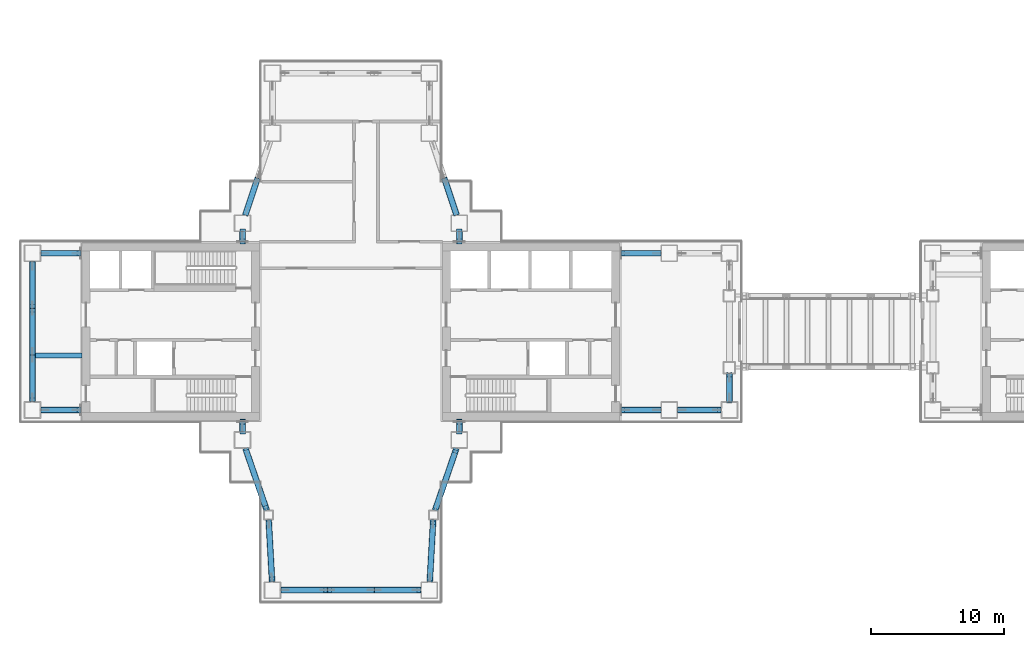
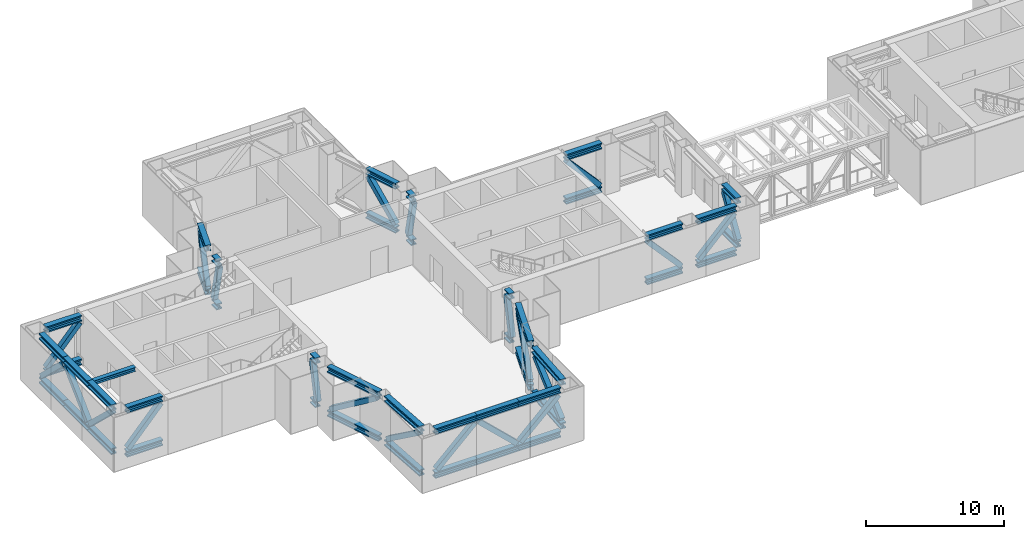
# One storey, part 3 of 21: 66 members, 1 beam.
"""IFC4 building model written with IfcOpenShell, lengths in metres."""

import ifcopenshell
import ifcopenshell.guid

model = None  # the IFC model being written
_history = None  # IfcOwnerHistory: only IFC2X3 demands one
_inside = {}  # id of a spatial element -> (the spatial element, [elements in it])
_under = {}  # id of a project, library or spatial element -> (it, [spatial elements below it])
_declared = {}  # id of a project -> (the project, [libraries it declares])
_typed = {}  # id of a type object -> (the type object, [elements of that type])
_made_of = {}  # id of a material, layer set ... -> (it, [elements and type objects made of it])


def new_model(schema):
    """Start an empty IFC model of exactly this schema.

    Asked for "IFC4X3", IfcOpenShell would pick the latest addendum, in which some entities
    have other attributes; the version numbers below select the first issue.
    IFC2X3 requires an IfcOwnerHistory on every rooted entity: one is made here for all.
    """
    global model, _history
    if schema == "IFC4X3":
        model = ifcopenshell.file(schema_version=(4, 3, 0, 0))
    else:
        model = ifcopenshell.file(schema=schema)
    _inside.clear()
    _under.clear()
    _declared.clear()
    _typed.clear()
    _made_of.clear()
    _history = None
    if model.schema == "IFC2X3":
        org = make("IfcOrganization", Name="unknown")
        user = make(
            "IfcPersonAndOrganization",
            ThePerson=make("IfcPerson", FamilyName="unknown"),
            TheOrganization=org,
        )
        app = make(
            "IfcApplication",
            ApplicationDeveloper=org,
            Version="unknown",
            ApplicationFullName="unknown",
            ApplicationIdentifier="unknown",
        )
        _history = make(
            "IfcOwnerHistory",
            OwningUser=user,
            OwningApplication=app,
            ChangeAction="ADDED",
            CreationDate=0,
        )
    return model


def make(cls, **values):
    """One entity of the class cls with the attributes given. An attribute that is None is left unset."""
    return model.create_entity(
        cls, **{name: value for name, value in values.items() if value is not None}
    )


def rooted(cls, **values):
    """An entity with a GlobalId (a new one), such as an element, a storey or a relation."""
    return make(cls, GlobalId=ifcopenshell.guid.new(), OwnerHistory=_history, **values)


def si_unit(unit_type, name, prefix=None):
    """IfcSIUnit, for example si_unit("LENGTHUNIT", "METRE", prefix="MILLI")."""
    return make("IfcSIUnit", UnitType=unit_type, Prefix=prefix, Name=name)


def assignment(units):
    """IfcUnitAssignment: the units of a project."""
    return None if units is None else make("IfcUnitAssignment", Units=units)


def point(xyz):
    """IfcCartesianPoint."""
    return None if xyz is None else make("IfcCartesianPoint", Coordinates=xyz)


def direction(xyz):
    """IfcDirection."""
    return None if xyz is None else make("IfcDirection", DirectionRatios=xyz)


def frame(location, z_axis=None, x_axis=None):
    """IfcAxis2Placement3D, a coordinate frame: its origin and axes. An axis left out is left unset."""
    return make(
        "IfcAxis2Placement3D",
        Location=point(location),
        Axis=direction(z_axis),
        RefDirection=direction(x_axis),
    )


def frame_2d(location, x_axis=None):
    """IfcAxis2Placement2D, a coordinate frame in the plane: its origin and x axis."""
    return make(
        "IfcAxis2Placement2D", Location=point(location), RefDirection=direction(x_axis)
    )


def origin():
    """The frame at (0, 0, 0) with its axes left unset."""
    return frame((0.0, 0.0, 0.0))


def origin_2d():
    """The frame at (0, 0) in the plane with its x axis left unset."""
    return frame_2d((0.0, 0.0))


def place(relative_to, where):
    """IfcLocalPlacement: puts the frame where relative to a parent placement (None: the world)."""
    return make(
        "IfcLocalPlacement", PlacementRelTo=relative_to, RelativePlacement=where
    )


def context(
    kind, dimensions, precision=None, world=None, true_north=None, identifier=None
):
    """IfcGeometricRepresentationContext, for example the 3D "Model" context."""
    return make(
        "IfcGeometricRepresentationContext",
        ContextIdentifier=identifier,
        ContextType=kind,
        CoordinateSpaceDimension=dimensions,
        Precision=precision,
        WorldCoordinateSystem=world,
        TrueNorth=true_north,
    )


def subcontext(parent, identifier, kind, view, scale=None):
    """IfcGeometricRepresentationSubContext, for example "Body" below "Model"."""
    return make(
        "IfcGeometricRepresentationSubContext",
        ContextIdentifier=identifier,
        ContextType=kind,
        ParentContext=parent,
        TargetScale=scale,
        TargetView=view,
    )


def project(units=None, contexts=None):
    """IfcProject with its units and contexts."""
    return rooted(
        "IfcProject",
        Name="project",
        RepresentationContexts=contexts,
        UnitsInContext=assignment(units),
    )


def spatial(cls, under=None, at=None, **own):
    """A site, building, storey or space (cls), placed at a placement, below another one or the project."""
    s = rooted(cls, ObjectPlacement=at, **own)
    if under is not None:
        _under.setdefault(under.id(), (under, []))[1].append(s)
    return s


def profile(cls, at=None, kind="AREA", **sizes):
    """A parametric profile (cls). Its sizes go by their IFC names, for example OverallWidth=200.0."""
    return make(cls, ProfileType=kind, Position=at, **sizes)


def hollow_rectangle(**sizes):
    """IfcRectangleHollowProfileDef."""
    return profile("IfcRectangleHollowProfileDef", **sizes)


def i_section(**sizes):
    """IfcIShapeProfileDef."""
    return profile("IfcIShapeProfileDef", **sizes)


def extrude(swept, where, along, depth):
    """IfcExtrudedAreaSolid: the profile swept, set in the frame where, extruded along a direction by depth."""
    return make(
        "IfcExtrudedAreaSolid",
        SweptArea=swept,
        Position=where,
        ExtrudedDirection=direction(along),
        Depth=depth,
    )


def shape(context_of_items, identifier, shape_type, items):
    """IfcShapeRepresentation: the items that make up one representation, for example the "Body"."""
    return make(
        "IfcShapeRepresentation",
        ContextOfItems=context_of_items,
        RepresentationIdentifier=identifier,
        RepresentationType=shape_type,
        Items=items,
    )


def material(Name=None, Category=None):
    """IfcMaterial."""
    return make("IfcMaterial", Name=Name, Category=Category)


def material_profile(
    of_material, cross_section, Name=None, Category=None, Priority=None
):
    """IfcMaterialProfile: a cross section and its material."""
    return make(
        "IfcMaterialProfile",
        Name=Name,
        Material=of_material,
        Profile=cross_section,
        Priority=Priority,
        Category=Category,
    )


def profile_set(profiles, Name=None, composite=None):
    """IfcMaterialProfileSet."""
    return make(
        "IfcMaterialProfileSet",
        Name=Name,
        MaterialProfiles=profiles,
        CompositeProfile=composite,
    )


def made_of(thing, what):
    """Note that an element or type object is made of a material, layer set ...; save() writes the relation."""
    if what is not None:
        _made_of.setdefault(what.id(), (what, []))[1].append(thing)
    return thing


def type_object(cls, material=None, **own):
    """A type object (cls), such as IfcWallType, which elements share."""
    return made_of(rooted(cls, **own), material)


def element(
    cls,
    number,
    at=None,
    inside=None,
    cuts=None,
    type_object=None,
    material=None,
    context=None,
    identifier="Body",
    shape_type=None,
    held_by="IfcProductDefinitionShape",
    body=None,
    shapes=None,
    **own,
):
    """One element of the class cls, such as IfcWall. Its Tag is "e" and its number.

    at: its placement. inside: the storey or other place that contains it. cuts: it is an
    opening in that element (IfcRelVoidsElement). A single representation is given by context,
    identifier, shape_type and body (its items); several are given by shapes. held_by: the class
    of the entity that holds the representations. save() writes the other relations.
    """
    e = rooted(cls, Tag="e%d" % number, ObjectPlacement=at, **own)
    if body is not None:
        shapes = [shape(context, identifier, shape_type, body)]
    if shapes is not None:
        e.Representation = make(held_by, Representations=shapes)
    if inside is not None:
        _inside.setdefault(inside.id(), (inside, []))[1].append(e)
    if cuts is not None:
        rooted(
            "IfcRelVoidsElement", RelatingBuildingElement=cuts, RelatedOpeningElement=e
        )
    if type_object is not None:
        _typed.setdefault(type_object.id(), (type_object, []))[1].append(e)
    return made_of(e, material)


def aggregate(whole, parts):
    """IfcRelAggregates: a whole, such as a stair, and the parts it consists of."""
    return rooted("IfcRelAggregates", RelatingObject=whole, RelatedObjects=parts)


def save(model, path):
    """Write the relations noted so far, then the file.

    IfcRelAggregates (storeys below a building ...), IfcRelContainedInSpatialStructure (elements
    in a storey), IfcRelDefinesByType, IfcRelAssociatesMaterial and IfcRelDeclares: one each for
    every whole, place, type object, material and project.
    """
    for whole, parts in _under.values():
        aggregate(whole, parts)
    for where, things in _inside.values():
        rooted(
            "IfcRelContainedInSpatialStructure",
            RelatedElements=things,
            RelatingStructure=where,
        )
    for kind, things in _typed.values():
        rooted("IfcRelDefinesByType", RelatedObjects=things, RelatingType=kind)
    for what, things in _made_of.values():
        rooted("IfcRelAssociatesMaterial", RelatedObjects=things, RelatingMaterial=what)
    for by, libraries in _declared.values():
        rooted("IfcRelDeclares", RelatingContext=by, RelatedDefinitions=libraries)
    model.write(path)


model = new_model("IFC4")

# Units and contexts
model_context = context("Model", 3, precision=1e-05, world=origin(), true_north=direction((0.0, 1.0)))
body_context = subcontext(model_context, "Body", "Model", "MODEL_VIEW")
ifc_project = project(units=[si_unit("LENGTHUNIT", "METRE"), si_unit("AREAUNIT", "SQUARE_METRE"), si_unit("VOLUMEUNIT", "CUBIC_METRE"), si_unit("PLANEANGLEUNIT", "RADIAN"), si_unit("MASSUNIT", "GRAM", prefix="KILO")], contexts=[model_context])

# Site, building, storey
site_placement = place(None, origin())
site = spatial("IfcSite", under=ifc_project, at=site_placement, CompositionType="ELEMENT")
building_placement = place(site_placement, origin())
building = spatial("IfcBuilding", under=site, at=building_placement, Name="Shamsa Quay Exchange Towers", CompositionType="ELEMENT")
storey_placement = place(building_placement, frame((0.0, 0.0, 128.699951171875)))
storey = spatial("IfcBuildingStorey", under=building, at=storey_placement, Name="L30", CompositionType="ELEMENT", Elevation=128.699951171875)

# Members
ifc_material = material(Name="Steel S355", Category="steel")
ifc_material_profile_1 = material_profile(ifc_material, i_section(OverallWidth=0.4423828125, OverallDepth=0.531494140625, WebThickness=0.06591796875, FlangeThickness=0.105712890625, at=origin_2d()), Name="W14x605")
ifc_profile_set_1 = profile_set([ifc_material_profile_1], Name="Steel S355")
member_type_1 = type_object("IfcMemberType", Name="Belt chord W14x605", PredefinedType="CHORD", material=ifc_profile_set_1)
for number, where, z_axis, x_axis, name in (
    (1, (-41.65966796875, -8.75, 4.13427734375), (0.325654086192, -0.945488982562, 0.0), (0.945488982562, 0.325654086192, 0.0), "Belt truss chord T1 L30 3"),
    (2, (-41.65966796875, -8.75, 0.265869140625), (0.325654086192, -0.945488982562, 0.0), (0.945488982562, 0.325654086192, 0.0), "Belt truss chord T1 L30 3"),
):
    element("IfcMember", number, at=place(storey_placement, frame(where, z_axis=z_axis, x_axis=x_axis)), inside=storey, type_object=member_type_1, Name=name, PredefinedType="CHORD", context=body_context, shape_type="SweptSolid", body=[
        extrude(i_section(OverallWidth=0.4423828125, OverallDepth=0.531494140625, WebThickness=0.06591796875, FlangeThickness=0.105712890625, at=origin_2d()), origin(), (0.0, 0.0, 1.0), 4.91796875),
    ])
for number, where, z_axis, x_axis, name in (
    (3, (-39.91796875, -14.10009765625, 4.13427734375), (0.055464212695, -0.998460675796, 0.0), (0.998460675796, 0.055464212695, 0.0), "Belt truss chord T1 L30 4"),
    (4, (-39.91796875, -14.10009765625, 0.265869140625), (0.055464212695, -0.998460675796, 0.0), (0.998460675796, 0.055464212695, 0.0), "Belt truss chord T1 L30 4"),
):
    element("IfcMember", number, at=place(storey_placement, frame(where, z_axis=z_axis, x_axis=x_axis)), inside=storey, type_object=member_type_1, Name=name, PredefinedType="CHORD", context=body_context, shape_type="SweptSolid", body=[
        extrude(i_section(OverallWidth=0.4423828125, OverallDepth=0.531494140625, WebThickness=0.06591796875, FlangeThickness=0.105712890625, at=origin_2d()), origin(), (0.0, 0.0, 1.0), 4.656982421875),
    ])
for number, where, z_axis, x_axis, name in (
    (5, (-39.0, -19.375, 4.13427734375), (1.0, 0.0, 0.0), (0.0, 1.0, 0.0), "Belt truss chord T1 L30 5"),
    (6, (-39.0, -19.375, 0.265869140625), (1.0, 0.0, 0.0), (0.0, 1.0, 0.0), "Belt truss chord T1 L30 5"),
    (7, (-35.5, -19.375, 4.13427734375), (1.0, 0.0, 0.0), (0.0, 1.0, 0.0), "Belt truss chord T1 L30 5"),
    (8, (-35.5, -19.375, 0.265869140625), (1.0, 0.0, 0.0), (0.0, 1.0, 0.0), "Belt truss chord T1 L30 5"),
    (9, (-32.0, -19.375, 4.13427734375), (1.0, 0.0, 0.0), (0.0, 1.0, 0.0), "Belt truss chord T1 L30 5"),
    (10, (-32.0, -19.375, 0.265869140625), (1.0, 0.0, 0.0), (0.0, 1.0, 0.0), "Belt truss chord T1 L30 5"),
):
    element("IfcMember", number, at=place(storey_placement, frame(where, z_axis=z_axis, x_axis=x_axis)), inside=storey, type_object=member_type_1, Name=name, PredefinedType="CHORD", context=body_context, shape_type="SweptSolid", body=[
        extrude(i_section(OverallWidth=0.4423828125, OverallDepth=0.531494140625, WebThickness=0.06591796875, FlangeThickness=0.105712890625, at=origin_2d()), origin(), (0.0, 0.0, 1.0), 3.5),
    ])
for number, where, z_axis, x_axis, name in (
    (11, (-27.84033203125, -18.75, 4.13427734375), (0.055464212695, 0.998460675796, 0.0), (-0.998460675796, 0.055464212695, 0.0), "Belt truss chord T1 L30 6"),
    (12, (-27.84033203125, -18.75, 0.265869140625), (0.055464212695, 0.998460675796, 0.0), (-0.998460675796, 0.055464212695, 0.0), "Belt truss chord T1 L30 6"),
):
    element("IfcMember", number, at=place(storey_placement, frame(where, z_axis=z_axis, x_axis=x_axis)), inside=storey, type_object=member_type_1, Name=name, PredefinedType="CHORD", context=body_context, shape_type="SweptSolid", body=[
        extrude(i_section(OverallWidth=0.4423828125, OverallDepth=0.531494140625, WebThickness=0.06591796875, FlangeThickness=0.105712890625, at=origin_2d()), origin(), (0.0, 0.0, 1.0), 4.656982421875),
    ])
for number, where, z_axis, x_axis, name in (
    (13, (-27.44189453125, -13.39990234375, 4.13427734375), (0.325654086192, 0.945488982562, 0.0), (-0.945488982562, 0.325654086192, 0.0), "Belt truss chord T1 L30 7"),
    (14, (-27.44189453125, -13.39990234375, 0.265869140625), (0.325654086192, 0.945488982562, 0.0), (-0.945488982562, 0.325654086192, 0.0), "Belt truss chord T1 L30 7"),
):
    element("IfcMember", number, at=place(storey_placement, frame(where, z_axis=z_axis, x_axis=x_axis)), inside=storey, type_object=member_type_1, Name=name, PredefinedType="CHORD", context=body_context, shape_type="SweptSolid", body=[
        extrude(i_section(OverallWidth=0.4423828125, OverallDepth=0.531494140625, WebThickness=0.06591796875, FlangeThickness=0.105712890625, at=origin_2d()), origin(), (0.0, 0.0, 1.0), 4.91796875),
    ])
for number, where, z_axis, x_axis, name in (
    (15, (-9.25, -5.875, 4.13427734375), (1.0, 0.0, 0.0), (0.0, 1.0, 0.0), "Belt truss chord T1 L30 10"),
    (16, (-9.25, -5.875, 0.265869140625), (1.0, 0.0, 0.0), (0.0, 1.0, 0.0), "Belt truss chord T1 L30 10"),
):
    element("IfcMember", number, at=place(storey_placement, frame(where, z_axis=z_axis, x_axis=x_axis)), inside=storey, type_object=member_type_1, Name=name, PredefinedType="CHORD", context=body_context, shape_type="SweptSolid", body=[
        extrude(i_section(OverallWidth=0.4423828125, OverallDepth=0.531494140625, WebThickness=0.06591796875, FlangeThickness=0.105712890625, at=origin_2d()), origin(), (0.0, 0.0, 1.0), 3.25),
    ])
for number, where, z_axis, x_axis, name in (
    (17, (-5.375, -5.25, 4.13427734375), (0.0, 1.0, 0.0), (-1.0, 0.0, 0.0), "Belt truss chord T1 L30 11"),
    (18, (-5.375, -5.25, 0.265869140625), (0.0, 1.0, 0.0), (-1.0, 0.0, 0.0), "Belt truss chord T1 L30 11"),
):
    element("IfcMember", number, at=place(storey_placement, frame(where, z_axis=z_axis, x_axis=x_axis)), inside=storey, type_object=member_type_1, Name=name, PredefinedType="CHORD", context=body_context, shape_type="SweptSolid", body=[
        extrude(i_section(OverallWidth=0.4423828125, OverallDepth=0.531494140625, WebThickness=0.06591796875, FlangeThickness=0.105712890625, at=origin_2d()), origin(), (0.0, 0.0, 1.0), 2.10009765625),
    ])
for number, where, z_axis, x_axis, name in (
    (19, (-25.833251953125, 8.75, 4.13427734375), (-0.316253032459, 0.948674875529, 0.0), (-0.948674875529, -0.316253032459, 0.0), "Belt truss chord T1 L30 17"),
    (20, (-25.833251953125, 8.75, 0.265869140625), (-0.316253032459, 0.948674875529, 0.0), (-0.948674875529, -0.316253032459, 0.0), "Belt truss chord T1 L30 17"),
    (21, (-40.75, 11.5, 4.13427734375), (-0.316253032459, -0.948674875529, 0.0), (0.948674875529, -0.316253032459, 0.0), "Belt truss chord T1 L30 21"),
    (22, (-40.75, 11.5, 0.265869140625), (-0.316253032459, -0.948674875529, 0.0), (0.948674875529, -0.316253032459, 0.0), "Belt truss chord T1 L30 21"),
):
    element("IfcMember", number, at=place(storey_placement, frame(where, z_axis=z_axis, x_axis=x_axis)), inside=storey, type_object=member_type_1, Name=name, PredefinedType="CHORD", context=body_context, shape_type="SweptSolid", body=[
        extrude(i_section(OverallWidth=0.4423828125, OverallDepth=0.531494140625, WebThickness=0.06591796875, FlangeThickness=0.105712890625, at=origin_2d()), origin(), (0.0, 0.0, 1.0), 2.898681640625),
    ])
for number, where, z_axis, x_axis, name in (
    (23, (-57.625, 5.25, 4.13427734375), (0.0, -1.0, 0.0), (1.0, 0.0, 0.0), "Belt truss chord T1 L30 24"),
    (24, (-57.625, 5.25, 0.265869140625), (0.0, -1.0, 0.0), (1.0, 0.0, 0.0), "Belt truss chord T1 L30 24"),
    (25, (-57.625, 1.75, 4.13427734375), (0.0, -1.0, 0.0), (1.0, 0.0, 0.0), "Belt truss chord T1 L30 24"),
    (26, (-57.625, 1.75, 0.265869140625), (0.0, -1.0, 0.0), (1.0, 0.0, 0.0), "Belt truss chord T1 L30 24"),
    (27, (-57.625, -1.75, 4.13427734375), (0.0, -1.0, 0.0), (1.0, 0.0, 0.0), "Belt truss chord T1 L30 24"),
    (28, (-57.625, -1.75, 0.265869140625), (0.0, -1.0, 0.0), (1.0, 0.0, 0.0), "Belt truss chord T1 L30 24"),
):
    element("IfcMember", number, at=place(storey_placement, frame(where, z_axis=z_axis, x_axis=x_axis)), inside=storey, type_object=member_type_1, Name=name, PredefinedType="CHORD", context=body_context, shape_type="SweptSolid", body=[
        extrude(i_section(OverallWidth=0.4423828125, OverallDepth=0.531494140625, WebThickness=0.06591796875, FlangeThickness=0.105712890625, at=origin_2d()), origin(), (0.0, 0.0, 1.0), 3.5),
    ])
ifc_material_profile_2 = material_profile(ifc_material, hollow_rectangle(XDim=0.406494140625, YDim=0.406494140625, WallThickness=0.01904296875, at=origin_2d()), Name="HSS16x16x3/4")
ifc_profile_set_2 = profile_set([ifc_material_profile_2], Name="Steel S355")
member_type_2 = type_object("IfcMemberType", Name="Belt diagonal HSS16x16x3/4", PredefinedType="BRACE", material=ifc_profile_set_2)
member_1_placement = place(storey_placement, frame((-41.5791015625, -8.984375, 0.69970703125), z_axis=(0.269518016757, -0.782378825932, 0.561465414231), x_axis=(0.945472667652, 0.325701450292, 0.0)))
element("IfcMember", 29, at=member_1_placement, inside=storey, type_object=member_type_2, Name="Belt truss diagonal T1 L30 3", PredefinedType="BRACE", context=body_context, shape_type="SweptSolid", body=[
    extrude(hollow_rectangle(XDim=0.406494140625, YDim=0.406494140625, WallThickness=0.01904296875, at=origin_2d()), origin(), (0.0, 0.0, 1.0), 5.344482421875),
])
member_2_placement = place(storey_placement, frame((-39.9052734375, -14.330078125, 0.696533203125), z_axis=(0.04507071606, -0.811603943665, 0.582466882476), x_axis=(0.998461606102, 0.055447462888, 0.0)))
element("IfcMember", 30, at=member_2_placement, inside=storey, type_object=member_type_2, Name="Belt truss diagonal T1 L30 4", PredefinedType="BRACE", context=body_context, shape_type="SweptSolid", body=[
    extrude(hollow_rectangle(XDim=0.406494140625, YDim=0.406494140625, WallThickness=0.01904296875, at=origin_2d()), origin(), (0.0, 0.0, 1.0), 5.162353515625),
])
for number, where, z_axis, x_axis, name in (
    (31, (-38.845703125, -19.375, 0.678466796875), (0.723709894071, 0.0, 0.690104332129), (0.0, 1.0, 0.0), "Belt truss diagonal T1 L30 5"),
    (32, (-32.154296875, -19.375, 0.678466796875), (-0.723709894071, 0.0, 0.690104332129), (0.0, -1.0, 0.0), "Belt truss diagonal T1 L30 5"),
    (33, (-31.845703125, -19.375, 0.678466796875), (0.723709894071, 0.0, 0.690104332129), (0.0, 1.0, 0.0), "Belt truss diagonal T1 L30 5"),
):
    element("IfcMember", number, at=place(storey_placement, frame(where, z_axis=z_axis, x_axis=x_axis)), inside=storey, type_object=member_type_2, Name=name, PredefinedType="BRACE", context=body_context, shape_type="SweptSolid", body=[
        extrude(hollow_rectangle(XDim=0.406494140625, YDim=0.406494140625, WallThickness=0.01904296875, at=origin_2d()), origin(), (0.0, 0.0, 1.0), 4.40966796875),
    ])
member_3_placement = place(storey_placement, frame((-27.827392578125, -18.519775390625, 0.696533203125), z_axis=(0.04507071606, 0.811603943665, 0.582466882476), x_axis=(-0.998461606102, 0.055447462888, 0.0)))
element("IfcMember", 34, at=member_3_placement, inside=storey, type_object=member_type_2, Name="Belt truss diagonal T1 L30 6", PredefinedType="BRACE", context=body_context, shape_type="SweptSolid", body=[
    extrude(hollow_rectangle(XDim=0.406494140625, YDim=0.406494140625, WallThickness=0.01904296875, at=origin_2d()), origin(), (0.0, 0.0, 1.0), 5.162353515625),
])
member_4_placement = place(storey_placement, frame((-27.361328125, -13.165771484375, 0.69970703125), z_axis=(0.269518016757, 0.782378825932, 0.561465414231), x_axis=(-0.945472667652, 0.325701450292, 0.0)))
element("IfcMember", 35, at=member_4_placement, inside=storey, type_object=member_type_2, Name="Belt truss diagonal T1 L30 7", PredefinedType="BRACE", context=body_context, shape_type="SweptSolid", body=[
    extrude(hollow_rectangle(XDim=0.406494140625, YDim=0.406494140625, WallThickness=0.01904296875, at=origin_2d()), origin(), (0.0, 0.0, 1.0), 5.344482421875),
])
member_5_placement = place(storey_placement, frame((-9.11181640625, -5.875, 0.67333984375), z_axis=(0.69767935738, 0.0, 0.716410157861), x_axis=(0.0, 1.0, 0.0)))
element("IfcMember", 36, at=member_5_placement, inside=storey, type_object=member_type_2, Name="Belt truss diagonal T1 L30 10", PredefinedType="BRACE", context=body_context, shape_type="SweptSolid", body=[
    extrude(hollow_rectangle(XDim=0.406494140625, YDim=0.406494140625, WallThickness=0.01904296875, at=origin_2d()), origin(), (0.0, 0.0, 1.0), 4.26220703125),
])
member_6_placement = place(storey_placement, frame((-5.375, -5.181884765625, 0.6396484375), z_axis=(0.0, 0.53259725521, 0.84636881071), x_axis=(-1.0, 0.0, 0.0)))
element("IfcMember", 37, at=member_6_placement, inside=storey, type_object=member_type_2, Name="Belt truss diagonal T1 L30 11", PredefinedType="BRACE", context=body_context, shape_type="SweptSolid", body=[
    extrude(hollow_rectangle(XDim=0.406494140625, YDim=0.406494140625, WallThickness=0.01904296875, at=origin_2d()), origin(), (0.0, 0.0, 1.0), 3.687255859375),
])
for number, where, z_axis, x_axis, name in (
    (38, (-25.869873046875, 8.85986328125, 0.664794921875), (-0.207392349561, 0.622117021954, 0.754956173786), (-0.948674144101, -0.316255226541, 0.0), "Belt truss diagonal T1 L30 17"),
    (39, (-41.630126953125, 8.85986328125, 0.664794921875), (0.207392349561, 0.622117021954, 0.754956173786), (-0.948674144101, 0.316255226541, 0.0), "Belt truss diagonal T1 L30 21"),
):
    element("IfcMember", number, at=place(storey_placement, frame(where, z_axis=z_axis, x_axis=x_axis)), inside=storey, type_object=member_type_2, Name=name, PredefinedType="BRACE", context=body_context, shape_type="SweptSolid", body=[
        extrude(hollow_rectangle(XDim=0.406494140625, YDim=0.406494140625, WallThickness=0.01904296875, at=origin_2d()), origin(), (0.0, 0.0, 1.0), 4.067138671875),
    ])
for number, where, z_axis, x_axis, name in (
    (40, (-57.625, 5.095703125, 0.678466796875), (0.0, -0.723709894071, 0.690104332129), (1.0, 0.0, 0.0), "Belt truss diagonal T1 L30 24"),
    (41, (-57.625, -1.595703125, 0.678466796875), (0.0, 0.723709894071, 0.690104332129), (-1.0, 0.0, 0.0), "Belt truss diagonal T1 L30 24"),
    (42, (-57.625, -1.904296875, 0.678466796875), (0.0, -0.723709894071, 0.690104332129), (1.0, 0.0, 0.0), "Belt truss diagonal T1 L30 24"),
):
    element("IfcMember", number, at=place(storey_placement, frame(where, z_axis=z_axis, x_axis=x_axis)), inside=storey, type_object=member_type_2, Name=name, PredefinedType="BRACE", context=body_context, shape_type="SweptSolid", body=[
        extrude(hollow_rectangle(XDim=0.406494140625, YDim=0.406494140625, WallThickness=0.01904296875, at=origin_2d()), origin(), (0.0, 0.0, 1.0), 4.40966796875),
    ])

# Beam
ifc_material_profile_3 = material_profile(ifc_material, i_section(OverallWidth=0.368896484375, OverallDepth=0.356201171875, WebThickness=0.01123046875, FlangeThickness=0.01806640625, at=origin_2d()), Name="W14x90")
ifc_profile_set_3 = profile_set([ifc_material_profile_3], Name="Steel S355")
beam_type = type_object("IfcBeamType", Name="End-zone beam W14x90", PredefinedType="BEAM", material=ifc_profile_set_3)
beam_placement = place(storey_placement, frame((-53.89990234375, -1.800048828125, 4.221923828125), z_axis=(-1.0, 0.0, 0.0), x_axis=(0.0, -1.0, 0.0)))
element("IfcBeam", 43, at=beam_placement, inside=storey, type_object=beam_type, Name="Spine beam T1 U- end zone L30", PredefinedType="BEAM", context=body_context, shape_type="SweptSolid", body=[
    extrude(i_section(OverallWidth=0.368896484375, OverallDepth=0.356201171875, WebThickness=0.01123046875, FlangeThickness=0.01806640625, at=origin_2d()), origin(), (0.0, 0.0, 1.0), 3.50390625),
])

# Members
ifc_material_profile_4 = material_profile(ifc_material, i_section(OverallWidth=0.4423828125, OverallDepth=0.531494140625, WebThickness=0.06591796875, FlangeThickness=0.105712890625, at=origin_2d()), Name="W14x605")
ifc_profile_set_4 = profile_set([ifc_material_profile_4], Name="Steel S355")
member_type_3 = type_object("IfcMemberType", Name="Outrigger chord W14x605", PredefinedType="CHORD", material=ifc_profile_set_4)
for number, where, z_axis, x_axis, name in (
    (44, (-57.0, -5.875, 4.13427734375), (1.0, 0.0, 0.0), (0.0, 1.0, 0.0), "Outrigger truss chord T1 L30 1"),
    (45, (-57.0, -5.875, 0.265869140625), (1.0, 0.0, 0.0), (0.0, 1.0, 0.0), "Outrigger truss chord T1 L30 1"),
):
    element("IfcMember", number, at=place(storey_placement, frame(where, z_axis=z_axis, x_axis=x_axis)), inside=storey, type_object=member_type_3, Name=name, PredefinedType="CHORD", context=body_context, shape_type="SweptSolid", body=[
        extrude(i_section(OverallWidth=0.4423828125, OverallDepth=0.531494140625, WebThickness=0.06591796875, FlangeThickness=0.105712890625, at=origin_2d()), origin(), (0.0, 0.0, 1.0), 3.0),
    ])
for number, where, z_axis, x_axis, name in (
    (46, (-41.875, -7.5, 4.13427734375), (0.0, 1.0, 0.0), (-1.0, 0.0, 0.0), "Outrigger truss chord T1 L30 2"),
    (47, (-41.875, -7.5, 0.265869140625), (0.0, 1.0, 0.0), (-1.0, 0.0, 0.0), "Outrigger truss chord T1 L30 2"),
    (48, (-25.625, -7.5, 4.13427734375), (0.0, 1.0, 0.0), (-1.0, 0.0, 0.0), "Outrigger truss chord T1 L30 8"),
    (49, (-25.625, -7.5, 0.265869140625), (0.0, 1.0, 0.0), (-1.0, 0.0, 0.0), "Outrigger truss chord T1 L30 8"),
):
    element("IfcMember", number, at=place(storey_placement, frame(where, z_axis=z_axis, x_axis=x_axis)), inside=storey, type_object=member_type_3, Name=name, PredefinedType="CHORD", context=body_context, shape_type="SweptSolid", body=[
        extrude(i_section(OverallWidth=0.4423828125, OverallDepth=0.531494140625, WebThickness=0.06591796875, FlangeThickness=0.105712890625, at=origin_2d()), origin(), (0.0, 0.0, 1.0), 0.75),
    ])
for number, where, z_axis, x_axis, name in (
    (50, (-10.5, -5.875, 4.13427734375), (-1.0, 0.0, 0.0), (0.0, -1.0, 0.0), "Outrigger truss chord T1 L30 9"),
    (51, (-10.5, -5.875, 0.265869140625), (-1.0, 0.0, 0.0), (0.0, -1.0, 0.0), "Outrigger truss chord T1 L30 9"),
    (52, (-10.5, 5.875, 4.13427734375), (-1.0, 0.0, 0.0), (0.0, -1.0, 0.0), "Outrigger truss chord T1 L30 15"),
    (53, (-10.5, 5.875, 0.265869140625), (-1.0, 0.0, 0.0), (0.0, -1.0, 0.0), "Outrigger truss chord T1 L30 15"),
):
    element("IfcMember", number, at=place(storey_placement, frame(where, z_axis=z_axis, x_axis=x_axis)), inside=storey, type_object=member_type_3, Name=name, PredefinedType="CHORD", context=body_context, shape_type="SweptSolid", body=[
        extrude(i_section(OverallWidth=0.4423828125, OverallDepth=0.531494140625, WebThickness=0.06591796875, FlangeThickness=0.105712890625, at=origin_2d()), origin(), (0.0, 0.0, 1.0), 3.0),
    ])
for number, where, z_axis, x_axis, name in (
    (54, (-25.625, 7.5, 4.13427734375), (0.0, -1.0, 0.0), (1.0, 0.0, 0.0), "Outrigger truss chord T1 L30 16"),
    (55, (-25.625, 7.5, 0.265869140625), (0.0, -1.0, 0.0), (1.0, 0.0, 0.0), "Outrigger truss chord T1 L30 16"),
    (56, (-41.875, 7.5, 4.13427734375), (0.0, -1.0, 0.0), (1.0, 0.0, 0.0), "Outrigger truss chord T1 L30 22"),
    (57, (-41.875, 7.5, 0.265869140625), (0.0, -1.0, 0.0), (1.0, 0.0, 0.0), "Outrigger truss chord T1 L30 22"),
):
    element("IfcMember", number, at=place(storey_placement, frame(where, z_axis=z_axis, x_axis=x_axis)), inside=storey, type_object=member_type_3, Name=name, PredefinedType="CHORD", context=body_context, shape_type="SweptSolid", body=[
        extrude(i_section(OverallWidth=0.4423828125, OverallDepth=0.531494140625, WebThickness=0.06591796875, FlangeThickness=0.105712890625, at=origin_2d()), origin(), (0.0, 0.0, 1.0), 0.75),
    ])
for number, where, z_axis, x_axis, name in (
    (58, (-57.0, 5.875, 4.13427734375), (1.0, 0.0, 0.0), (0.0, 1.0, 0.0), "Outrigger truss chord T1 L30 23"),
    (59, (-57.0, 5.875, 0.265869140625), (1.0, 0.0, 0.0), (0.0, 1.0, 0.0), "Outrigger truss chord T1 L30 23"),
):
    element("IfcMember", number, at=place(storey_placement, frame(where, z_axis=z_axis, x_axis=x_axis)), inside=storey, type_object=member_type_3, Name=name, PredefinedType="CHORD", context=body_context, shape_type="SweptSolid", body=[
        extrude(i_section(OverallWidth=0.4423828125, OverallDepth=0.531494140625, WebThickness=0.06591796875, FlangeThickness=0.105712890625, at=origin_2d()), origin(), (0.0, 0.0, 1.0), 3.0),
    ])
ifc_material_profile_5 = material_profile(ifc_material, hollow_rectangle(XDim=0.406494140625, YDim=0.406494140625, WallThickness=0.01904296875, at=origin_2d()), Name="HSS16x16x3/4")
ifc_profile_set_5 = profile_set([ifc_material_profile_5], Name="Steel S355")
member_type_4 = type_object("IfcMemberType", Name="Outrigger diagonal HSS16x16x3/4", PredefinedType="BRACE", material=ifc_profile_set_5)
member_7_placement = place(storey_placement, frame((-56.8779296875, -5.875, 0.667236328125), z_axis=(0.668529429281, 0.0, 0.743685687764), x_axis=(0.0, 1.0, 0.0)))
element("IfcMember", 60, at=member_7_placement, inside=storey, type_object=member_type_4, Name="Outrigger truss diagonal T1 L30 1", PredefinedType="BRACE", context=body_context, shape_type="SweptSolid", body=[
    extrude(hollow_rectangle(XDim=0.406494140625, YDim=0.406494140625, WallThickness=0.01904296875, at=origin_2d()), origin(), (0.0, 0.0, 1.0), 4.122314453125),
])
for number, where, z_axis, x_axis, name in (
    (61, (-41.875, -7.489990234375, 0.575927734375), (0.0, 0.219274860702, 0.975663126014), (-1.0, 0.0, 0.0), "Outrigger truss diagonal T1 L30 2"),
    (62, (-25.625, -7.489990234375, 0.575927734375), (0.0, 0.219274860702, 0.975663126014), (-1.0, 0.0, 0.0), "Outrigger truss diagonal T1 L30 8"),
):
    element("IfcMember", number, at=place(storey_placement, frame(where, z_axis=z_axis, x_axis=x_axis)), inside=storey, type_object=member_type_4, Name=name, PredefinedType="BRACE", context=body_context, shape_type="SweptSolid", body=[
        extrude(hollow_rectangle(XDim=0.406494140625, YDim=0.406494140625, WallThickness=0.01904296875, at=origin_2d()), origin(), (0.0, 0.0, 1.0), 3.3291015625),
    ])
for number, where, z_axis, x_axis, name in (
    (63, (-10.6220703125, -5.875, 0.667236328125), (-0.668529429281, 0.0, 0.743685687764), (0.0, -1.0, 0.0), "Outrigger truss diagonal T1 L30 9"),
    (64, (-10.6220703125, 5.875, 0.667236328125), (-0.668529429281, 0.0, 0.743685687764), (0.0, -1.0, 0.0), "Outrigger truss diagonal T1 L30 15"),
):
    element("IfcMember", number, at=place(storey_placement, frame(where, z_axis=z_axis, x_axis=x_axis)), inside=storey, type_object=member_type_4, Name=name, PredefinedType="BRACE", context=body_context, shape_type="SweptSolid", body=[
        extrude(hollow_rectangle(XDim=0.406494140625, YDim=0.406494140625, WallThickness=0.01904296875, at=origin_2d()), origin(), (0.0, 0.0, 1.0), 4.122314453125),
    ])
for number, where, z_axis, x_axis, name in (
    (65, (-25.625, 7.489990234375, 0.575927734375), (0.0, -0.219274860702, 0.975663126014), (1.0, 0.0, 0.0), "Outrigger truss diagonal T1 L30 16"),
    (66, (-41.875, 7.489990234375, 0.575927734375), (0.0, -0.219274860702, 0.975663126014), (1.0, 0.0, 0.0), "Outrigger truss diagonal T1 L30 22"),
):
    element("IfcMember", number, at=place(storey_placement, frame(where, z_axis=z_axis, x_axis=x_axis)), inside=storey, type_object=member_type_4, Name=name, PredefinedType="BRACE", context=body_context, shape_type="SweptSolid", body=[
        extrude(hollow_rectangle(XDim=0.406494140625, YDim=0.406494140625, WallThickness=0.01904296875, at=origin_2d()), origin(), (0.0, 0.0, 1.0), 3.3291015625),
    ])
member_8_placement = place(storey_placement, frame((-56.8779296875, 5.875, 0.667236328125), z_axis=(0.668529429281, 0.0, 0.743685687764), x_axis=(0.0, 1.0, 0.0)))
element("IfcMember", 67, at=member_8_placement, inside=storey, type_object=member_type_4, Name="Outrigger truss diagonal T1 L30 23", PredefinedType="BRACE", context=body_context, shape_type="SweptSolid", body=[
    extrude(hollow_rectangle(XDim=0.406494140625, YDim=0.406494140625, WallThickness=0.01904296875, at=origin_2d()), origin(), (0.0, 0.0, 1.0), 4.122314453125),
])

save(model, "model.ifc")
